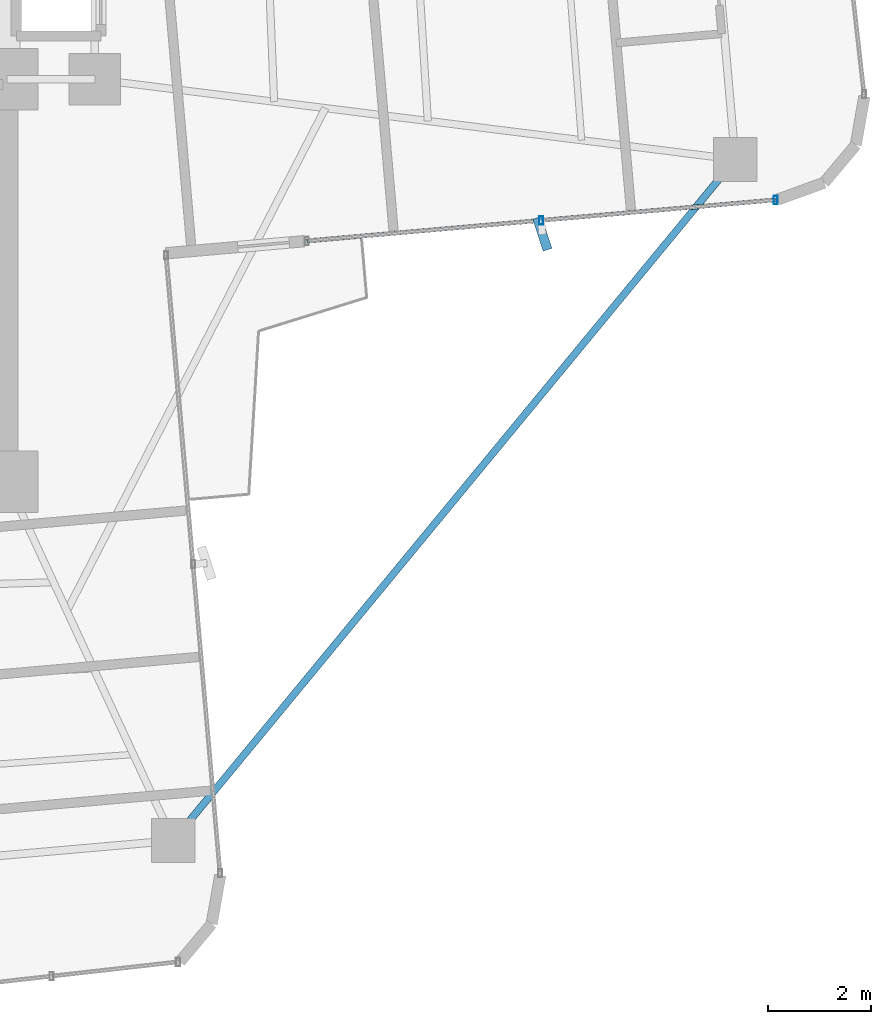
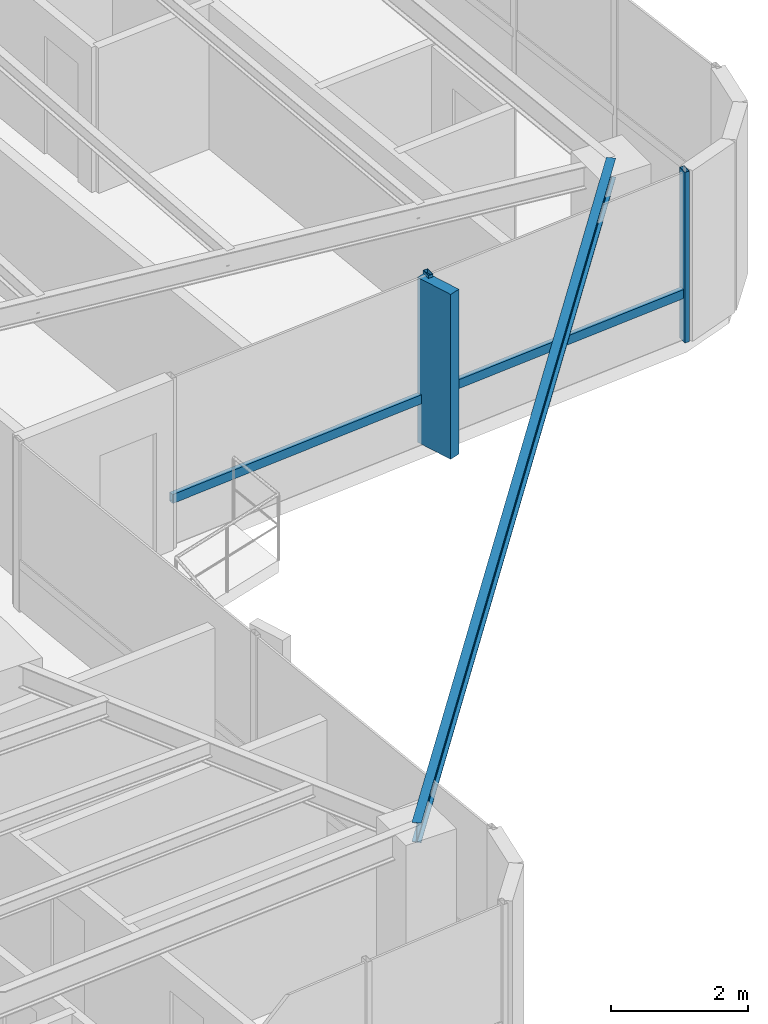
# One storey, part 13 of 24: 5 members, 1 beam, 1 element without a shape of its own.
"""IFC4 building model written with IfcOpenShell, lengths in metres."""

from ifc_helpers import new_model, si_unit, direction, frame, origin, origin_2d, place, context, subcontext, project, spatial, rectangle, hollow_rectangle, i_section, extrude, source, transform, mapped, material, material_profile, profile_set, type_object, element, aggregate, save


model = new_model("IFC4")

# Units and contexts
model_context = context("Model", 3, precision=1e-05, world=origin(), true_north=direction((0.0, 1.0)))
body_context = subcontext(model_context, "Body", "Model", "MODEL_VIEW")
ifc_project = project(units=[si_unit("LENGTHUNIT", "METRE"), si_unit("AREAUNIT", "SQUARE_METRE"), si_unit("VOLUMEUNIT", "CUBIC_METRE"), si_unit("PLANEANGLEUNIT", "RADIAN"), si_unit("MASSUNIT", "GRAM", prefix="KILO")], contexts=[model_context])

# Site, building, storey
site_placement = place(None, origin())
site = spatial("IfcSite", under=ifc_project, at=site_placement, CompositionType="ELEMENT")
building_placement = place(site_placement, origin())
building = spatial("IfcBuilding", under=site, at=building_placement, Name="Sahyath Konkavel Grand Hotel", CompositionType="ELEMENT")
storey_placement = place(building_placement, frame((0.0, 0.0, 198.64990234375)))
storey = spatial("IfcBuildingStorey", under=building, at=storey_placement, Name="L55", CompositionType="ELEMENT", Elevation=198.64990234375)

# Beam
ifc_material_1 = material(Name="Steel E350", Category="steel")
ifc_material_profile_1 = material_profile(ifc_material_1, i_section(OverallWidth=0.139892578125, OverallDepth=0.35009765625, WebThickness=0.008056640625, FlangeThickness=0.01416015625, FilletRadius=0.013916015625, at=origin_2d()), Name="ISMB 350")
ifc_profile_set_1 = profile_set([ifc_material_profile_1], Name="Steel E350")
beam_type = type_object("IfcBeamType", Name="BM-ISMB350", PredefinedType="BEAM", material=ifc_profile_set_1)
shared_shape_1 = source(origin(), body_context, "Body", "SweptSolid", [
    extrude(i_section(OverallWidth=0.139892578125, OverallDepth=0.35009765625, WebThickness=0.008056640625, FlangeThickness=0.01416015625, FilletRadius=0.013916015625, at=origin_2d()), origin(), (0.0, 0.0, 1.0), 17.112548828125),
])
beam_placement = place(storey_placement, frame((17.912841796875, -3.953857421875, 2.85498046875), z_axis=(-0.636437070092, -0.77132863023, 0.0), x_axis=(0.77132863023, -0.636437070092, 0.0)))
element("IfcBeam", 1, at=beam_placement, inside=storey, type_object=beam_type, Name="L55 Re-Entrant Tie Beam SE", PredefinedType="BEAM", context=body_context, shape_type="MappedRepresentation", body=[
    mapped(shared_shape_1, transform((0.0, 0.0, 0.0), scale=1.0)),
])

# Curtain wall, members
ifc_material_2 = material(Name="Anodised Bronze Aluminium & Low-E Glazing", Category="aluminium")
curtain_wall_type = type_object("IfcCurtainWallType", Name="CW-ZONE3", PredefinedType="NOTDEFINED", material=ifc_material_2)
curtain_wall_placement = place(storey_placement, origin())
curtain_wall = element("IfcCurtainWall", 2, at=curtain_wall_placement, inside=storey, type_object=curtain_wall_type, Name="L55 Unitised Curtain Wall F0", PredefinedType="NOTDEFINED")
ifc_material_3 = material(Name="Anodised Bronze Aluminium", Category="aluminium")
ifc_material_profile_2 = material_profile(ifc_material_3, hollow_rectangle(XDim=0.080078125, YDim=0.159912109375, WallThickness=0.006103515625, at=origin_2d()), Name="RHS 160x80x6")
ifc_profile_set_2 = profile_set([ifc_material_profile_2], Name="Anodised Bronze Aluminium")
member_type_1 = type_object("IfcMemberType", Name="CW-MUL-160", PredefinedType="MULLION", material=ifc_profile_set_2)
shared_shape_2 = source(origin(), body_context, "Body", "SweptSolid", [
    extrude(hollow_rectangle(XDim=0.080078125, YDim=0.159912109375, WallThickness=0.006103515625, at=origin_2d()), origin(), (0.0, 0.0, 1.0), 3.030029296875),
])
member_1_placement = place(storey_placement, frame((14.151611328125, -5.135986328125, 0.0), z_axis=(0.0, 0.0, 1.0), x_axis=(1.0, 0.0, 0.0)))
member_1 = element("IfcMember", 3, at=member_1_placement, type_object=member_type_1, Name="L55 Curtain Wall Mullion F0-1", PredefinedType="MULLION", context=body_context, shape_type="MappedRepresentation", body=[
    mapped(shared_shape_2, transform((0.0, 0.0, 0.0), scale=1.0)),
])
member_2_placement = place(storey_placement, frame((18.694091796875, -4.73876953125, 0.0), z_axis=(0.0, 0.0, 1.0), x_axis=(1.0, 0.0, 0.0)))
member_2 = element("IfcMember", 4, at=member_2_placement, type_object=member_type_1, Name="L55 Curtain Wall Mullion F0-2", PredefinedType="MULLION", context=body_context, shape_type="MappedRepresentation", body=[
    mapped(shared_shape_2, transform((0.0, 0.0, 0.0), scale=1.0)),
])
ifc_material_4 = material(Name="Warm Buff Sandstone Cladding on Concrete C50/60", Category="masonry")
ifc_material_profile_3 = material_profile(ifc_material_4, rectangle(XDim=0.179931640625, YDim=0.64990234375, at=origin_2d()), Name="FIN 180x650")
ifc_profile_set_3 = profile_set([ifc_material_profile_3], Name="Warm Buff Sandstone Cladding on Concrete C50/60")
member_type_2 = type_object("IfcMemberType", Name="FIN-SANDSTONE-650", PredefinedType="MULLION", material=ifc_profile_set_3)
shared_shape_3 = source(origin(), body_context, "Body", "SweptSolid", [
    extrude(rectangle(XDim=0.179931640625, YDim=0.64990234375, at=origin_2d()), origin(), (0.0, 0.0, 1.0), 2.929931640625),
])
member_3_placement = place(storey_placement, frame((14.17431640625, -5.39501953125, 0.050048828125), z_axis=(0.0, 0.0, 1.0), x_axis=(0.951056516295, 0.309016994375, 0.0)))
member_3 = element("IfcMember", 5, at=member_3_placement, type_object=member_type_2, Name="L55 Sandstone Vertical Solar Fin FIN F0-1", PredefinedType="MULLION", context=body_context, shape_type="MappedRepresentation", body=[
    mapped(shared_shape_3, transform((0.0, 0.0, 0.0), scale=1.0)),
])
ifc_material_profile_4 = material_profile(ifc_material_3, hollow_rectangle(XDim=0.080078125, YDim=0.159912109375, WallThickness=0.006103515625, at=origin_2d()), Name="RHS 160x80x6")
ifc_profile_set_4 = profile_set([ifc_material_profile_4], Name="Anodised Bronze Aluminium")
member_type_3 = type_object("IfcMemberType", Name="CW-TRN-160", PredefinedType="USERDEFINED", material=ifc_profile_set_4)
shared_shape_4 = source(origin(), body_context, "Body", "SweptSolid", [
    extrude(hollow_rectangle(XDim=0.080078125, YDim=0.159912109375, WallThickness=0.006103515625, at=origin_2d()), origin(), (0.0, 0.0, 1.0), 4.56005859375),
])
member_4_placement = place(storey_placement, frame((9.60888671875, -5.53369140625, 0.85009765625), z_axis=(0.996189590376, 0.087214104516, 0.0), x_axis=(-0.087214104516, 0.996189590376, 0.0)))
member_4 = element("IfcMember", 6, at=member_4_placement, type_object=member_type_3, Name="L55 Curtain Wall Transom F0-0-spandrel", ObjectType="TRANSOM", PredefinedType="USERDEFINED", context=body_context, shape_type="MappedRepresentation", body=[
    mapped(shared_shape_4, transform((0.0, 0.0, 0.0), scale=1.0)),
])
shared_shape_5 = source(origin(), body_context, "Body", "SweptSolid", [
    extrude(hollow_rectangle(XDim=0.080078125, YDim=0.159912109375, WallThickness=0.006103515625, at=origin_2d()), origin(), (0.0, 0.0, 1.0), 4.559814453125),
])
member_5_placement = place(storey_placement, frame((14.151611328125, -5.135986328125, 0.85009765625), z_axis=(0.99619848155, 0.087112486804, 0.0), x_axis=(-0.087112486804, 0.99619848155, 0.0)))
member_5 = element("IfcMember", 7, at=member_5_placement, type_object=member_type_3, Name="L55 Curtain Wall Transom F0-1-spandrel", ObjectType="TRANSOM", PredefinedType="USERDEFINED", context=body_context, shape_type="MappedRepresentation", body=[
    mapped(shared_shape_5, transform((0.0, 0.0, 0.0), scale=1.0)),
])
aggregate(curtain_wall, [member_1, member_3, member_2, member_4, member_5])

save(model, "model.ifc")
